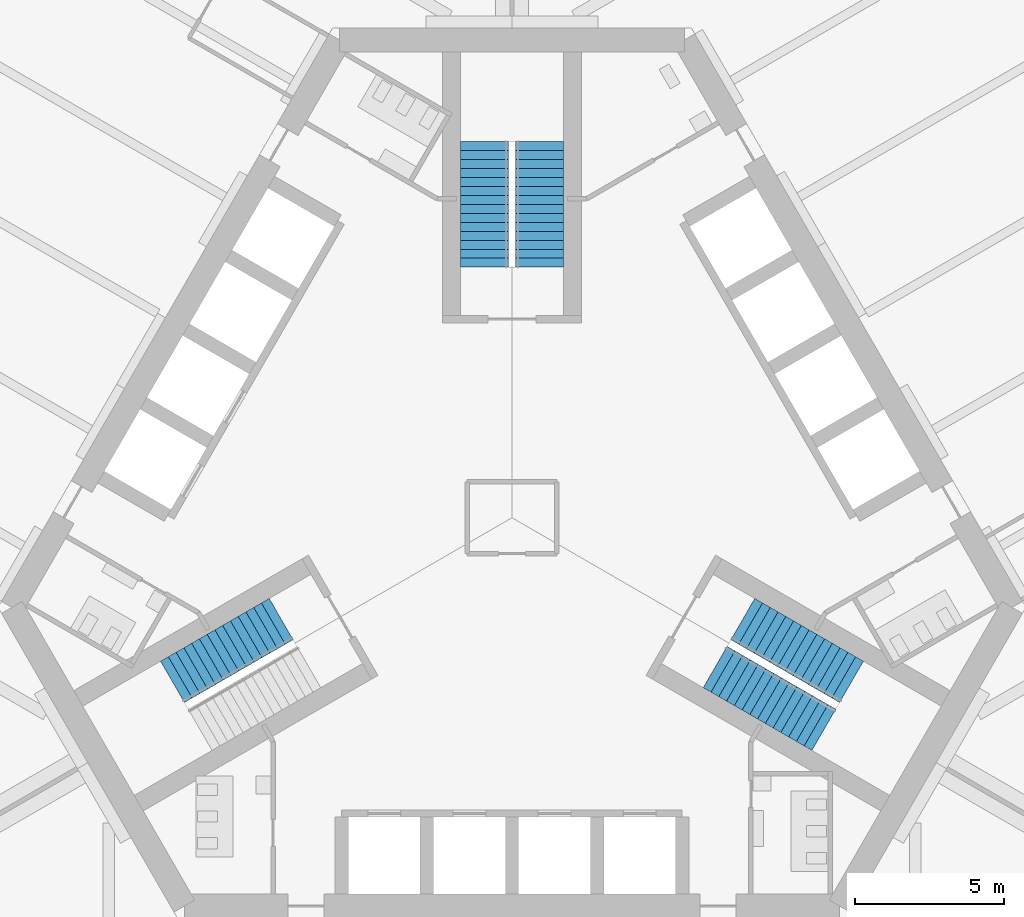
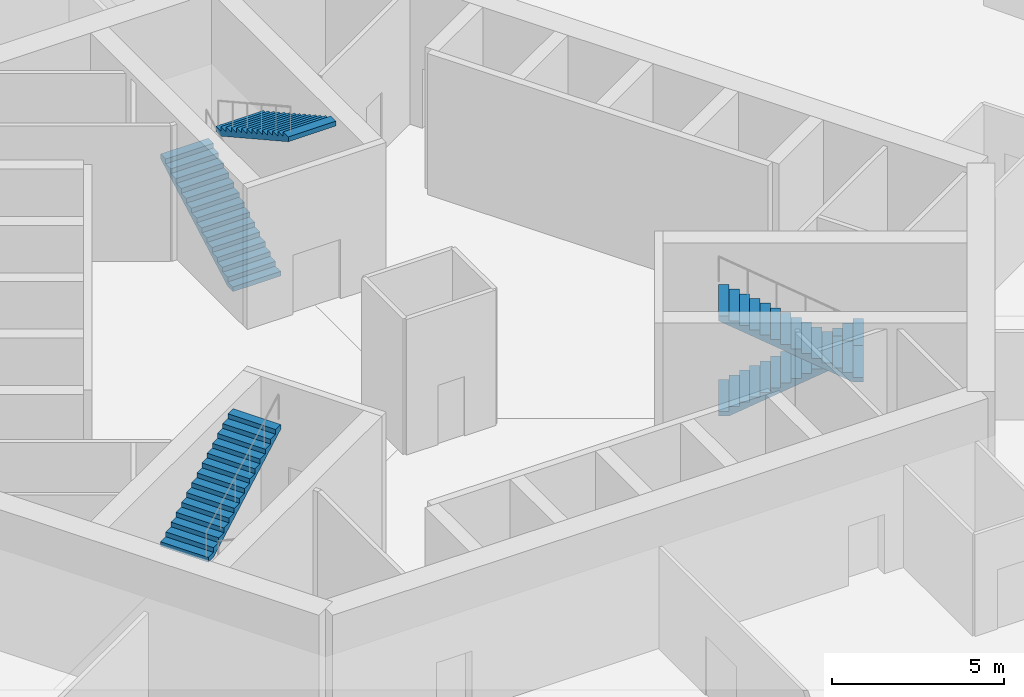
# One storey, part 18 of 21: 5 stair flights, 3 elements without a shape of their own.
"""IFC4 building model written with IfcOpenShell, lengths in metres."""

from ifc_helpers import new_model, si_unit, direction, frame, origin, place, context, subcontext, project, spatial, polyline, outline, extrude, material, type_object, element, aggregate, save


model = new_model("IFC4")

# Units and contexts
model_context = context("Model", 3, precision=1e-05, world=origin(), true_north=direction((0.0, 1.0)))
body_context = subcontext(model_context, "Body", "Model", "MODEL_VIEW")
ifc_project = project(units=[si_unit("LENGTHUNIT", "METRE"), si_unit("AREAUNIT", "SQUARE_METRE"), si_unit("VOLUMEUNIT", "CUBIC_METRE"), si_unit("PLANEANGLEUNIT", "RADIAN"), si_unit("MASSUNIT", "GRAM", prefix="KILO")], contexts=[model_context])

# Site, building, storey
site_placement = place(None, origin())
site = spatial("IfcSite", under=ifc_project, at=site_placement, CompositionType="ELEMENT")
building_placement = place(site_placement, origin())
building = spatial("IfcBuilding", under=site, at=building_placement, Name="Trefoil Bronze Tower", CompositionType="ELEMENT")
storey_placement = place(building_placement, frame((0.0, 0.0, 6.5)))
storey = spatial("IfcBuildingStorey", under=building, at=storey_placement, Name="L01", CompositionType="ELEMENT", Elevation=6.5)

# Stair, stair flights
ifc_material_1 = material(Name="Precast concrete B80", Category="concrete")
stair_type = type_object("IfcStairType", Name="Exit stair 30 risers", PredefinedType="HALF_TURN_STAIR", material=ifc_material_1)
stair_1_placement = place(storey_placement, origin())
stair_1 = element("IfcStair", 1, at=stair_1_placement, inside=storey, type_object=stair_type, Name="Stair ST1 L01", PredefinedType="HALF_TURN_STAIR")
ifc_material_2 = material(Name="Precast concrete B80", Category="concrete")
stair_flight_type = type_object("IfcStairFlightType", Name="Stair flight 1600", PredefinedType="STRAIGHT", material=ifc_material_2)
stair_flight_1_placement = place(storey_placement, frame((7.728515625, -3.39404296875, 0.0), z_axis=(0.0, 0.0, 1.0), x_axis=(0.866025403784, -0.5, 0.0)))
stair_flight_1 = element("IfcStairFlight", 2, at=stair_flight_1_placement, type_object=stair_flight_type, Name="ST1 flight 1", NumberOfRisers=15, NumberOfTreads=14, PredefinedType="STRAIGHT", RiserHeight=0.166666667, TreadLength=0.3, context=body_context, shape_type="SweptSolid", body=[
    extrude(outline(polyline([(0.0, 0.0), (0.0, 0.166748046875), (0.300048828125, 0.166748046875), (0.300048828125, 0.333251953125), (0.60009765625, 0.333251953125), (0.60009765625, 0.5), (0.89990234375, 0.5), (0.89990234375, 0.666748046875), (1.199951171875, 0.666748046875), (1.199951171875, 0.833251953125), (1.5, 0.833251953125), (1.5, 1.0), (1.800048828125, 1.0), (1.800048828125, 1.166748046875), (2.10009765625, 1.166748046875), (2.10009765625, 1.333251953125), (2.39990234375, 1.333251953125), (2.39990234375, 1.5), (2.699951171875, 1.5), (2.699951171875, 1.666748046875), (3.0, 1.666748046875), (3.0, 1.833251953125), (3.300048828125, 1.833251953125), (3.300048828125, 2.0), (3.60009765625, 2.0), (3.60009765625, 2.166748046875), (3.89990234375, 2.166748046875), (3.89990234375, 2.333251953125), (4.199951171875, 2.333251953125), (4.199951171875, 2.5), (4.199951171875, 2.161865234375), (0.30859375, 0.0), (0.0, 0.0)])), frame((0.0, 0.800048828125, 0.0), z_axis=(0.0, -1.0, 0.0), x_axis=(1.0, 0.0, 0.0)), (0.0, 0.0, 1.0), 1.60009765625),
])
stair_flight_2_placement = place(storey_placement, frame((10.440673828125, -7.09619140625, 2.5), z_axis=(0.0, 0.0, 1.0), x_axis=(-0.866025403784, 0.5, 0.0)))
stair_flight_2 = element("IfcStairFlight", 3, at=stair_flight_2_placement, type_object=stair_flight_type, Name="ST1 flight 2", NumberOfRisers=15, NumberOfTreads=14, PredefinedType="STRAIGHT", RiserHeight=0.166666667, TreadLength=0.3, context=body_context, shape_type="SweptSolid", body=[
    extrude(outline(polyline([(0.0, 0.0), (0.0, 0.166748046875), (0.300048828125, 0.166748046875), (0.300048828125, 0.333251953125), (0.60009765625, 0.333251953125), (0.60009765625, 0.5), (0.89990234375, 0.5), (0.89990234375, 0.666748046875), (1.199951171875, 0.666748046875), (1.199951171875, 0.833251953125), (1.5, 0.833251953125), (1.5, 1.0), (1.800048828125, 1.0), (1.800048828125, 1.166748046875), (2.10009765625, 1.166748046875), (2.10009765625, 1.333251953125), (2.39990234375, 1.333251953125), (2.39990234375, 1.5), (2.699951171875, 1.5), (2.699951171875, 1.666748046875), (3.0, 1.666748046875), (3.0, 1.833251953125), (3.300048828125, 1.833251953125), (3.300048828125, 2.0), (3.60009765625, 2.0), (3.60009765625, 2.166748046875), (3.89990234375, 2.166748046875), (3.89990234375, 2.333251953125), (4.199951171875, 2.333251953125), (4.199951171875, 2.5), (4.199951171875, 2.161865234375), (0.30859375, 0.0), (0.0, 0.0)])), frame((0.0, 0.800048828125, 0.0), z_axis=(0.0, -1.0, 0.0), x_axis=(1.0, 0.0, 0.0)), (0.0, 0.0, 1.0), 1.60009765625),
])
aggregate(stair_1, [stair_flight_1, stair_flight_2])

stair_2_placement = place(storey_placement, origin())
stair_2 = element("IfcStair", 4, at=stair_2_placement, inside=storey, type_object=stair_type, Name="Stair ST2 L01", PredefinedType="HALF_TURN_STAIR")
stair_flight_3_placement = place(storey_placement, frame((-0.925048828125, 8.389892578125, 0.0), z_axis=(0.0, 0.0, 1.0), x_axis=(0.0, 1.0, 0.0)))
stair_flight_3 = element("IfcStairFlight", 5, at=stair_flight_3_placement, type_object=stair_flight_type, Name="ST2 flight 1", NumberOfRisers=15, NumberOfTreads=14, PredefinedType="STRAIGHT", RiserHeight=0.166666667, TreadLength=0.3, context=body_context, shape_type="SweptSolid", body=[
    extrude(outline(polyline([(0.0, 0.0), (0.0, 0.166748046875), (0.300048828125, 0.166748046875), (0.300048828125, 0.333251953125), (0.60009765625, 0.333251953125), (0.60009765625, 0.5), (0.89990234375, 0.5), (0.89990234375, 0.666748046875), (1.199951171875, 0.666748046875), (1.199951171875, 0.833251953125), (1.5, 0.833251953125), (1.5, 1.0), (1.800048828125, 1.0), (1.800048828125, 1.166748046875), (2.10009765625, 1.166748046875), (2.10009765625, 1.333251953125), (2.39990234375, 1.333251953125), (2.39990234375, 1.5), (2.699951171875, 1.5), (2.699951171875, 1.666748046875), (3.0, 1.666748046875), (3.0, 1.833251953125), (3.300048828125, 1.833251953125), (3.300048828125, 2.0), (3.60009765625, 2.0), (3.60009765625, 2.166748046875), (3.89990234375, 2.166748046875), (3.89990234375, 2.333251953125), (4.199951171875, 2.333251953125), (4.199951171875, 2.5), (4.199951171875, 2.161865234375), (0.30859375, 0.0), (0.0, 0.0)])), frame((0.0, 0.800048828125, 0.0), z_axis=(0.0, -1.0, 0.0), x_axis=(1.0, 0.0, 0.0)), (0.0, 0.0, 1.0), 1.60009765625),
])
stair_flight_4_placement = place(storey_placement, frame((0.925048828125, 12.590087890625, 2.5), z_axis=(0.0, 0.0, 1.0), x_axis=(0.0, -1.0, 0.0)))
stair_flight_4 = element("IfcStairFlight", 6, at=stair_flight_4_placement, type_object=stair_flight_type, Name="ST2 flight 2", NumberOfRisers=15, NumberOfTreads=14, PredefinedType="STRAIGHT", RiserHeight=0.166666667, TreadLength=0.3, context=body_context, shape_type="SweptSolid", body=[
    extrude(outline(polyline([(0.0, 0.0), (0.0, 0.166748046875), (0.300048828125, 0.166748046875), (0.300048828125, 0.333251953125), (0.60009765625, 0.333251953125), (0.60009765625, 0.5), (0.89990234375, 0.5), (0.89990234375, 0.666748046875), (1.199951171875, 0.666748046875), (1.199951171875, 0.833251953125), (1.5, 0.833251953125), (1.5, 1.0), (1.800048828125, 1.0), (1.800048828125, 1.166748046875), (2.10009765625, 1.166748046875), (2.10009765625, 1.333251953125), (2.39990234375, 1.333251953125), (2.39990234375, 1.5), (2.699951171875, 1.5), (2.699951171875, 1.666748046875), (3.0, 1.666748046875), (3.0, 1.833251953125), (3.300048828125, 1.833251953125), (3.300048828125, 2.0), (3.60009765625, 2.0), (3.60009765625, 2.166748046875), (3.89990234375, 2.166748046875), (3.89990234375, 2.333251953125), (4.199951171875, 2.333251953125), (4.199951171875, 2.5), (4.199951171875, 2.161865234375), (0.30859375, 0.0), (0.0, 0.0)])), frame((0.0, 0.800048828125, 0.0), z_axis=(0.0, -1.0, 0.0), x_axis=(1.0, 0.0, 0.0)), (0.0, 0.0, 1.0), 1.60009765625),
])
aggregate(stair_2, [stair_flight_3, stair_flight_4])

# Stair, stair flight
stair_3_placement = place(storey_placement, origin())
stair_3 = element("IfcStair", 7, at=stair_3_placement, inside=storey, type_object=stair_type, Name="Stair ST3 L01", PredefinedType="HALF_TURN_STAIR")
stair_flight_5_placement = place(storey_placement, frame((-11.36572265625, -5.493896484375, 2.5), z_axis=(0.0, 0.0, 1.0), x_axis=(0.866025403784, 0.5, 0.0)))
stair_flight_5 = element("IfcStairFlight", 8, at=stair_flight_5_placement, type_object=stair_flight_type, Name="ST3 flight 2", NumberOfRisers=15, NumberOfTreads=14, PredefinedType="STRAIGHT", RiserHeight=0.166666667, TreadLength=0.3, context=body_context, shape_type="SweptSolid", body=[
    extrude(outline(polyline([(0.0, 0.0), (0.0, 0.166748046875), (0.300048828125, 0.166748046875), (0.300048828125, 0.333251953125), (0.60009765625, 0.333251953125), (0.60009765625, 0.5), (0.89990234375, 0.5), (0.89990234375, 0.666748046875), (1.199951171875, 0.666748046875), (1.199951171875, 0.833251953125), (1.5, 0.833251953125), (1.5, 1.0), (1.800048828125, 1.0), (1.800048828125, 1.166748046875), (2.10009765625, 1.166748046875), (2.10009765625, 1.333251953125), (2.39990234375, 1.333251953125), (2.39990234375, 1.5), (2.699951171875, 1.5), (2.699951171875, 1.666748046875), (3.0, 1.666748046875), (3.0, 1.833251953125), (3.300048828125, 1.833251953125), (3.300048828125, 2.0), (3.60009765625, 2.0), (3.60009765625, 2.166748046875), (3.89990234375, 2.166748046875), (3.89990234375, 2.333251953125), (4.199951171875, 2.333251953125), (4.199951171875, 2.5), (4.199951171875, 2.161865234375), (0.30859375, 0.0), (0.0, 0.0)])), frame((0.0, 0.800048828125, 0.0), z_axis=(0.0, -1.0, 0.0), x_axis=(1.0, 0.0, 0.0)), (0.0, 0.0, 1.0), 1.60009765625),
])
aggregate(stair_3, [stair_flight_5])

save(model, "model.ifc")
